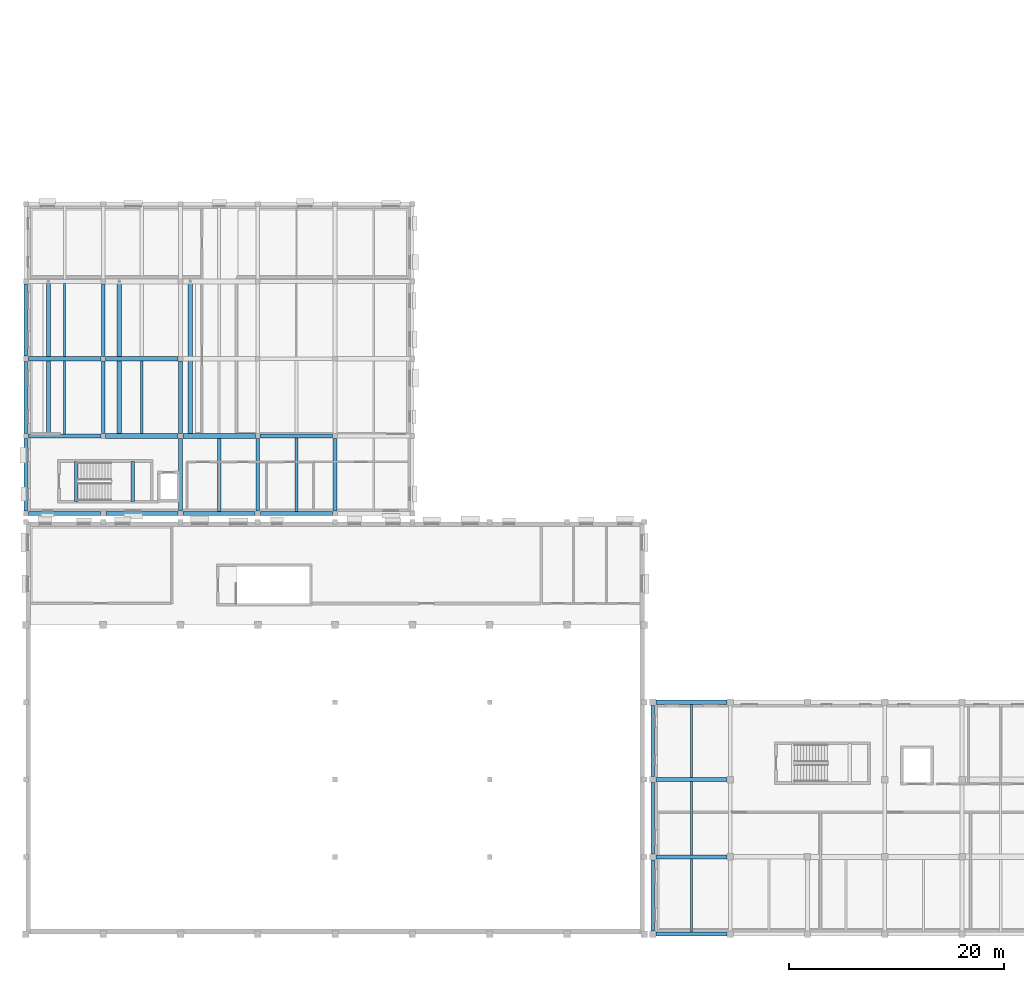
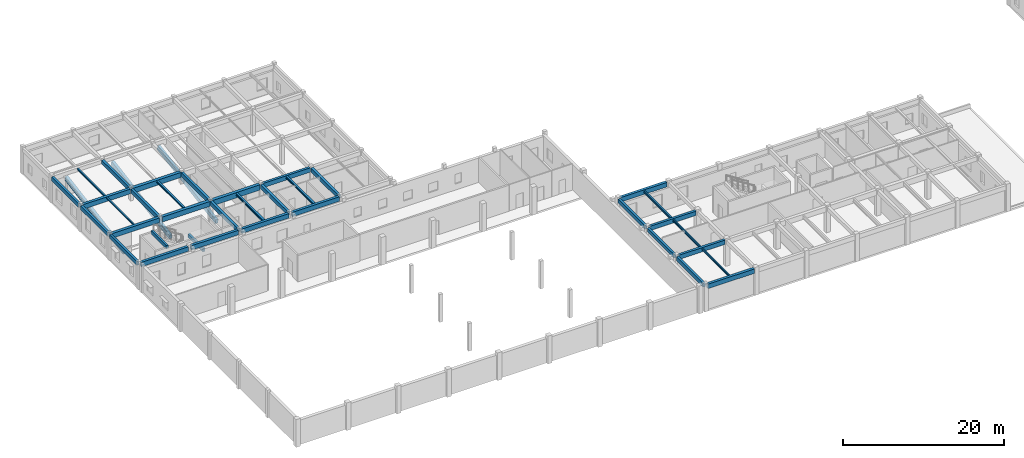
# One storey, part 4 of 49: 39 beams.
"""IFC4 building model written with IfcOpenShell, lengths in metres."""

import ifcopenshell
import ifcopenshell.guid

model = None  # the IFC model being written
_history = None  # IfcOwnerHistory: only IFC2X3 demands one
_inside = {}  # id of a spatial element -> (the spatial element, [elements in it])
_under = {}  # id of a project, library or spatial element -> (it, [spatial elements below it])
_declared = {}  # id of a project -> (the project, [libraries it declares])
_typed = {}  # id of a type object -> (the type object, [elements of that type])
_made_of = {}  # id of a material, layer set ... -> (it, [elements and type objects made of it])


def new_model(schema):
    """Start an empty IFC model of exactly this schema.

    Asked for "IFC4X3", IfcOpenShell would pick the latest addendum, in which some entities
    have other attributes; the version numbers below select the first issue.
    IFC2X3 requires an IfcOwnerHistory on every rooted entity: one is made here for all.
    """
    global model, _history
    if schema == "IFC4X3":
        model = ifcopenshell.file(schema_version=(4, 3, 0, 0))
    else:
        model = ifcopenshell.file(schema=schema)
    _inside.clear()
    _under.clear()
    _declared.clear()
    _typed.clear()
    _made_of.clear()
    _history = None
    if model.schema == "IFC2X3":
        org = make("IfcOrganization", Name="unknown")
        user = make(
            "IfcPersonAndOrganization",
            ThePerson=make("IfcPerson", FamilyName="unknown"),
            TheOrganization=org,
        )
        app = make(
            "IfcApplication",
            ApplicationDeveloper=org,
            Version="unknown",
            ApplicationFullName="unknown",
            ApplicationIdentifier="unknown",
        )
        _history = make(
            "IfcOwnerHistory",
            OwningUser=user,
            OwningApplication=app,
            ChangeAction="ADDED",
            CreationDate=0,
        )
    return model


def make(cls, **values):
    """One entity of the class cls with the attributes given. An attribute that is None is left unset."""
    return model.create_entity(
        cls, **{name: value for name, value in values.items() if value is not None}
    )


def rooted(cls, **values):
    """An entity with a GlobalId (a new one), such as an element, a storey or a relation."""
    return make(cls, GlobalId=ifcopenshell.guid.new(), OwnerHistory=_history, **values)


def si_unit(unit_type, name, prefix=None):
    """IfcSIUnit, for example si_unit("LENGTHUNIT", "METRE", prefix="MILLI")."""
    return make("IfcSIUnit", UnitType=unit_type, Prefix=prefix, Name=name)


def assignment(units):
    """IfcUnitAssignment: the units of a project."""
    return None if units is None else make("IfcUnitAssignment", Units=units)


def point(xyz):
    """IfcCartesianPoint."""
    return None if xyz is None else make("IfcCartesianPoint", Coordinates=xyz)


def direction(xyz):
    """IfcDirection."""
    return None if xyz is None else make("IfcDirection", DirectionRatios=xyz)


def frame(location, z_axis=None, x_axis=None):
    """IfcAxis2Placement3D, a coordinate frame: its origin and axes. An axis left out is left unset."""
    return make(
        "IfcAxis2Placement3D",
        Location=point(location),
        Axis=direction(z_axis),
        RefDirection=direction(x_axis),
    )


def frame_2d(location, x_axis=None):
    """IfcAxis2Placement2D, a coordinate frame in the plane: its origin and x axis."""
    return make(
        "IfcAxis2Placement2D", Location=point(location), RefDirection=direction(x_axis)
    )


def origin():
    """The frame at (0, 0, 0) with its axes left unset."""
    return frame((0.0, 0.0, 0.0))


def origin_2d():
    """The frame at (0, 0) in the plane with its x axis left unset."""
    return frame_2d((0.0, 0.0))


def place(relative_to, where):
    """IfcLocalPlacement: puts the frame where relative to a parent placement (None: the world)."""
    return make(
        "IfcLocalPlacement", PlacementRelTo=relative_to, RelativePlacement=where
    )


def context(
    kind, dimensions, precision=None, world=None, true_north=None, identifier=None
):
    """IfcGeometricRepresentationContext, for example the 3D "Model" context."""
    return make(
        "IfcGeometricRepresentationContext",
        ContextIdentifier=identifier,
        ContextType=kind,
        CoordinateSpaceDimension=dimensions,
        Precision=precision,
        WorldCoordinateSystem=world,
        TrueNorth=true_north,
    )


def subcontext(parent, identifier, kind, view, scale=None):
    """IfcGeometricRepresentationSubContext, for example "Body" below "Model"."""
    return make(
        "IfcGeometricRepresentationSubContext",
        ContextIdentifier=identifier,
        ContextType=kind,
        ParentContext=parent,
        TargetScale=scale,
        TargetView=view,
    )


def project(units=None, contexts=None):
    """IfcProject with its units and contexts."""
    return rooted(
        "IfcProject",
        Name="project",
        RepresentationContexts=contexts,
        UnitsInContext=assignment(units),
    )


def spatial(cls, under=None, at=None, **own):
    """A site, building, storey or space (cls), placed at a placement, below another one or the project."""
    s = rooted(cls, ObjectPlacement=at, **own)
    if under is not None:
        _under.setdefault(under.id(), (under, []))[1].append(s)
    return s


def profile(cls, at=None, kind="AREA", **sizes):
    """A parametric profile (cls). Its sizes go by their IFC names, for example OverallWidth=200.0."""
    return make(cls, ProfileType=kind, Position=at, **sizes)


def rectangle(**sizes):
    """IfcRectangleProfileDef."""
    return profile("IfcRectangleProfileDef", **sizes)


def i_section(**sizes):
    """IfcIShapeProfileDef."""
    return profile("IfcIShapeProfileDef", **sizes)


def extrude(swept, where, along, depth):
    """IfcExtrudedAreaSolid: the profile swept, set in the frame where, extruded along a direction by depth."""
    return make(
        "IfcExtrudedAreaSolid",
        SweptArea=swept,
        Position=where,
        ExtrudedDirection=direction(along),
        Depth=depth,
    )


def shape(context_of_items, identifier, shape_type, items):
    """IfcShapeRepresentation: the items that make up one representation, for example the "Body"."""
    return make(
        "IfcShapeRepresentation",
        ContextOfItems=context_of_items,
        RepresentationIdentifier=identifier,
        RepresentationType=shape_type,
        Items=items,
    )


def material(Name=None, Category=None):
    """IfcMaterial."""
    return make("IfcMaterial", Name=Name, Category=Category)


def material_profile(
    of_material, cross_section, Name=None, Category=None, Priority=None
):
    """IfcMaterialProfile: a cross section and its material."""
    return make(
        "IfcMaterialProfile",
        Name=Name,
        Material=of_material,
        Profile=cross_section,
        Priority=Priority,
        Category=Category,
    )


def profile_set(profiles, Name=None, composite=None):
    """IfcMaterialProfileSet."""
    return make(
        "IfcMaterialProfileSet",
        Name=Name,
        MaterialProfiles=profiles,
        CompositeProfile=composite,
    )


def made_of(thing, what):
    """Note that an element or type object is made of a material, layer set ...; save() writes the relation."""
    if what is not None:
        _made_of.setdefault(what.id(), (what, []))[1].append(thing)
    return thing


def type_object(cls, material=None, **own):
    """A type object (cls), such as IfcWallType, which elements share."""
    return made_of(rooted(cls, **own), material)


def element(
    cls,
    number,
    at=None,
    inside=None,
    cuts=None,
    type_object=None,
    material=None,
    context=None,
    identifier="Body",
    shape_type=None,
    held_by="IfcProductDefinitionShape",
    body=None,
    shapes=None,
    **own,
):
    """One element of the class cls, such as IfcWall. Its Tag is "e" and its number.

    at: its placement. inside: the storey or other place that contains it. cuts: it is an
    opening in that element (IfcRelVoidsElement). A single representation is given by context,
    identifier, shape_type and body (its items); several are given by shapes. held_by: the class
    of the entity that holds the representations. save() writes the other relations.
    """
    e = rooted(cls, Tag="e%d" % number, ObjectPlacement=at, **own)
    if body is not None:
        shapes = [shape(context, identifier, shape_type, body)]
    if shapes is not None:
        e.Representation = make(held_by, Representations=shapes)
    if inside is not None:
        _inside.setdefault(inside.id(), (inside, []))[1].append(e)
    if cuts is not None:
        rooted(
            "IfcRelVoidsElement", RelatingBuildingElement=cuts, RelatedOpeningElement=e
        )
    if type_object is not None:
        _typed.setdefault(type_object.id(), (type_object, []))[1].append(e)
    return made_of(e, material)


def aggregate(whole, parts):
    """IfcRelAggregates: a whole, such as a stair, and the parts it consists of."""
    return rooted("IfcRelAggregates", RelatingObject=whole, RelatedObjects=parts)


def save(model, path):
    """Write the relations noted so far, then the file.

    IfcRelAggregates (storeys below a building ...), IfcRelContainedInSpatialStructure (elements
    in a storey), IfcRelDefinesByType, IfcRelAssociatesMaterial and IfcRelDeclares: one each for
    every whole, place, type object, material and project.
    """
    for whole, parts in _under.values():
        aggregate(whole, parts)
    for where, things in _inside.values():
        rooted(
            "IfcRelContainedInSpatialStructure",
            RelatedElements=things,
            RelatingStructure=where,
        )
    for kind, things in _typed.values():
        rooted("IfcRelDefinesByType", RelatedObjects=things, RelatingType=kind)
    for what, things in _made_of.values():
        rooted("IfcRelAssociatesMaterial", RelatedObjects=things, RelatingMaterial=what)
    for by, libraries in _declared.values():
        rooted("IfcRelDeclares", RelatingContext=by, RelatedDefinitions=libraries)
    model.write(path)


model = new_model("IFC4")

# Units and contexts
model_context = context("Model", 3, precision=1e-05, world=origin(), true_north=direction((0.0, 1.0)))
body_context = subcontext(model_context, "Body", "Model", "MODEL_VIEW")
ifc_project = project(units=[si_unit("LENGTHUNIT", "METRE"), si_unit("AREAUNIT", "SQUARE_METRE"), si_unit("VOLUMEUNIT", "CUBIC_METRE"), si_unit("PLANEANGLEUNIT", "RADIAN"), si_unit("MASSUNIT", "GRAM", prefix="KILO")], contexts=[model_context])

# Site, building, storey
site_placement = place(None, origin())
site = spatial("IfcSite", under=ifc_project, at=site_placement, CompositionType="ELEMENT")
building_placement = place(site_placement, origin())
building = spatial("IfcBuilding", under=site, at=building_placement, Name="Bramveld Media Centre", CompositionType="ELEMENT")
storey_placement = place(building_placement, frame((0.0, 0.0, 9.60009765625)))
storey = spatial("IfcBuildingStorey", under=building, at=storey_placement, Name="L02", CompositionType="ELEMENT", Elevation=9.60009765625)

# Beams
ifc_material_1 = material(Name="Concrete C40/50", Category="concrete")
ifc_material_profile_1 = material_profile(ifc_material_1, rectangle(XDim=0.300048828125, YDim=0.5, at=origin_2d()), Name="RC 300x500")
ifc_profile_set_1 = profile_set([ifc_material_profile_1], Name="Concrete C40/50")
beam_type_1 = type_object("IfcBeamType", Name="BM-INT-RC-300x500", PredefinedType="BEAM", material=ifc_profile_set_1)
for number, where, z_axis, x_axis, name in (
    (1, (4.699951171875, 40.300048828125, 3.949951171875), (0.0, 1.0, 0.0), (-1.0, 0.0, 0.0), "ST-04 L03 stairwell landing trimmer beam"),
    (2, (9.949951171875, 40.300048828125, 1.64990234375), (0.0, 1.0, 0.0), (-1.0, 0.0, 0.0), "ST-04 L02 stairwell half-landing support beam"),
):
    element("IfcBeam", number, at=place(storey_placement, frame(where, z_axis=z_axis, x_axis=x_axis)), inside=storey, type_object=beam_type_1, Name=name, PredefinedType="BEAM", context=body_context, shape_type="SweptSolid", body=[
        extrude(rectangle(XDim=0.300048828125, YDim=0.5, at=origin_2d()), origin(), (0.0, 0.0, 1.0), 3.75),
    ])
ifc_material_2 = material(Name="Concrete C40/50", Category="concrete")
ifc_material_profile_2 = material_profile(ifc_material_2, rectangle(XDim=0.35009765625, YDim=0.60009765625, at=origin_2d()), Name="RC 350x600")
ifc_profile_set_2 = profile_set([ifc_material_profile_2], Name="Concrete C40/50")
beam_type_2 = type_object("IfcBeamType", Name="BM-INT-RC-350x600", PredefinedType="BEAM", material=ifc_profile_set_2)
for number, where, z_axis, x_axis, name in (
    (3, (7.199951171875, 46.625, 3.64990234375), (0.0, 1.0, 0.0), (-1.0, 0.0, 0.0), "V3 L02 girder Y-352"),
    (4, (7.199951171875, 53.824951171875, 3.64990234375), (0.0, 1.0, 0.0), (-1.0, 0.0, 0.0), "V3 L02 girder Y-353"),
):
    element("IfcBeam", number, at=place(storey_placement, frame(where, z_axis=z_axis, x_axis=x_axis)), inside=storey, type_object=beam_type_2, Name=name, PredefinedType="BEAM", context=body_context, shape_type="SweptSolid", body=[
        extrude(rectangle(XDim=0.35009765625, YDim=0.60009765625, at=origin_2d()), origin(), (0.0, 0.0, 1.0), 6.75),
    ])
beam_1_placement = place(storey_placement, frame((14.39990234375, 39.43994140625, 3.64990234375), z_axis=(0.0, 1.0, 0.0), x_axis=(-1.0, 0.0, 0.0)))
element("IfcBeam", 5, at=beam_1_placement, inside=storey, type_object=beam_type_2, Name="V3 L02 girder Y-355", PredefinedType="BEAM", context=body_context, shape_type="SweptSolid", body=[
    extrude(rectangle(XDim=0.35009765625, YDim=0.60009765625, at=origin_2d()), origin(), (0.0, 0.0, 1.0), 6.735107421875),
])
beam_2_placement = place(storey_placement, frame((14.39990234375, 46.625, 3.64990234375), z_axis=(0.0, 1.0, 0.0), x_axis=(-1.0, 0.0, 0.0)))
element("IfcBeam", 6, at=beam_2_placement, inside=storey, type_object=beam_type_2, Name="V3 L02 girder Y-356", PredefinedType="BEAM", context=body_context, shape_type="SweptSolid", body=[
    extrude(rectangle(XDim=0.35009765625, YDim=0.60009765625, at=origin_2d()), origin(), (0.0, 0.0, 1.0), 6.75),
])
for number, where, z_axis, x_axis, name in (
    (7, (21.60009765625, 39.43994140625, 3.64990234375), (0.0, 1.0, 0.0), (-1.0, 0.0, 0.0), "V3 L02 girder Y-359"),
    (8, (28.800048828125, 39.43994140625, 3.64990234375), (0.0, 1.0, 0.0), (-1.0, 0.0, 0.0), "V3 L02 girder Y-363"),
):
    element("IfcBeam", number, at=place(storey_placement, frame(where, z_axis=z_axis, x_axis=x_axis)), inside=storey, type_object=beam_type_2, Name=name, PredefinedType="BEAM", context=body_context, shape_type="SweptSolid", body=[
        extrude(rectangle(XDim=0.35009765625, YDim=0.60009765625, at=origin_2d()), origin(), (0.0, 0.0, 1.0), 6.735107421875),
    ])
ifc_material_3 = material(Name="Concrete C40/50", Category="concrete")
ifc_material_profile_3 = material_profile(ifc_material_3, rectangle(XDim=0.35009765625, YDim=0.64990234375, at=origin_2d()), Name="RC 350x650")
ifc_profile_set_3 = profile_set([ifc_material_profile_3], Name="Concrete C40/50")
beam_type_3 = type_object("IfcBeamType", Name="BM-INT-RC-350x650", PredefinedType="BEAM", material=ifc_profile_set_3)
beam_3_placement = place(storey_placement, frame((21.824951171875, 46.39990234375, 3.625), z_axis=(1.0, 0.0, 0.0), x_axis=(0.0, 1.0, 0.0)))
element("IfcBeam", 9, at=beam_3_placement, inside=storey, type_object=beam_type_3, Name="V3 L02 girder X-331", PredefinedType="BEAM", context=body_context, shape_type="SweptSolid", body=[
    extrude(rectangle(XDim=0.35009765625, YDim=0.64990234375, at=origin_2d()), origin(), (0.0, 0.0, 1.0), 6.75),
])
for number, where, z_axis, x_axis, name in (
    (10, (58.68994140625, 7.199951171875, 3.635009765625), (1.0, 0.0, 0.0), (0.0, 1.0, 0.0), "V5 L02 girder X-784"),
    (11, (58.68994140625, 14.39990234375, 3.635009765625), (1.0, 0.0, 0.0), (0.0, 1.0, 0.0), "V5 L02 girder X-790"),
):
    element("IfcBeam", number, at=place(storey_placement, frame(where, z_axis=z_axis, x_axis=x_axis)), inside=storey, type_object=beam_type_3, Name=name, PredefinedType="BEAM", context=body_context, shape_type="SweptSolid", body=[
        extrude(rectangle(XDim=0.35009765625, YDim=0.64990234375, at=origin_2d()), origin(), (0.0, 0.0, 1.0), 6.610107421875),
    ])
ifc_material_4 = material(Name="Concrete C40/50", Category="concrete")
ifc_material_profile_4 = material_profile(ifc_material_4, rectangle(XDim=0.39990234375, YDim=0.64990234375, at=origin_2d()), Name="RC 400x650")
ifc_profile_set_4 = profile_set([ifc_material_profile_4], Name="Concrete C40/50")
beam_type_4 = type_object("IfcBeamType", Name="BM-INT-RC-400x650", PredefinedType="BEAM", material=ifc_profile_set_4)
for number, where, z_axis, x_axis, name in (
    (12, (2.10009765625, 46.39990234375, 0.385009765625), (0.0, 0.985262222976, 0.171050729249), (-1.0, 0.0, 0.0), "Screen 5 Raked Seating Slab raker beam 1"),
    (13, (8.699951171875, 46.39990234375, 0.385009765625), (0.0, 0.985262222976, 0.171050729249), (-1.0, 0.0, 0.0), "Screen 5 Raked Seating Slab raker beam 2"),
    (14, (15.300048828125, 46.39990234375, 0.385009765625), (0.0, 0.985262222976, 0.171050729249), (-1.0, 0.0, 0.0), "Screen 5 Raked Seating Slab raker beam 3"),
):
    element("IfcBeam", number, at=place(storey_placement, frame(where, z_axis=z_axis, x_axis=x_axis)), inside=storey, type_object=beam_type_4, Name=name, PredefinedType="BEAM", context=body_context, shape_type="SweptSolid", body=[
        extrude(rectangle(XDim=0.39990234375, YDim=0.64990234375, at=origin_2d()), origin(), (0.0, 0.0, 1.0), 14.615478515625),
    ])
ifc_material_5 = material(Name="Concrete C40/50", Category="concrete")
ifc_material_profile_5 = material_profile(ifc_material_5, rectangle(XDim=0.39990234375, YDim=0.699951171875, at=origin_2d()), Name="RC 400x700")
ifc_profile_set_5 = profile_set([ifc_material_profile_5], Name="Concrete C40/50")
beam_type_5 = type_object("IfcBeamType", Name="BM-INT-RC-400x700", PredefinedType="BEAM", material=ifc_profile_set_5)
for number, where, z_axis, x_axis, name in (
    (15, (0.239990234375, 46.39990234375, 3.599853515625), (1.0, 0.0, 0.0), (0.0, 1.0, 0.0), "V3 L02 girder X-328"),
    (16, (0.239990234375, 53.60009765625, 3.599853515625), (1.0, 0.0, 0.0), (0.0, 1.0, 0.0), "V3 L02 girder X-333"),
):
    element("IfcBeam", number, at=place(storey_placement, frame(where, z_axis=z_axis, x_axis=x_axis)), inside=storey, type_object=beam_type_5, Name=name, PredefinedType="BEAM", context=body_context, shape_type="SweptSolid", body=[
        extrude(rectangle(XDim=0.39990234375, YDim=0.699951171875, at=origin_2d()), origin(), (0.0, 0.0, 1.0), 6.735107421875),
    ])
ifc_material_6 = material(Name="Concrete C40/50", Category="concrete")
ifc_material_profile_6 = material_profile(ifc_material_6, rectangle(XDim=0.449951171875, YDim=0.75, at=origin_2d()), Name="RC 450x750")
ifc_profile_set_6 = profile_set([ifc_material_profile_6], Name="Concrete C40/50")
beam_type_6 = type_object("IfcBeamType", Name="BM-INT-RC-450x750", PredefinedType="BEAM", material=ifc_profile_set_6)
for number, where, z_axis, x_axis, name in (
    (17, (7.425048828125, 46.39990234375, 3.574951171875), (1.0, 0.0, 0.0), (0.0, 1.0, 0.0), "V3 L02 girder X-329"),
    (18, (7.425048828125, 53.60009765625, 3.574951171875), (1.0, 0.0, 0.0), (0.0, 1.0, 0.0), "V3 L02 girder X-334"),
):
    element("IfcBeam", number, at=place(storey_placement, frame(where, z_axis=z_axis, x_axis=x_axis)), inside=storey, type_object=beam_type_6, Name=name, PredefinedType="BEAM", context=body_context, shape_type="SweptSolid", body=[
        extrude(rectangle(XDim=0.449951171875, YDim=0.75, at=origin_2d()), origin(), (0.0, 0.0, 1.0), 6.75),
    ])
ifc_material_7 = material(Name="Concrete C40/50", Category="concrete")
ifc_material_profile_7 = material_profile(ifc_material_7, rectangle(XDim=0.449951171875, YDim=0.800048828125, at=origin_2d()), Name="RC 450x800")
ifc_profile_set_7 = profile_set([ifc_material_profile_7], Name="Concrete C40/50")
beam_type_7 = type_object("IfcBeamType", Name="BM-INT-RC-450x800", PredefinedType="BEAM", material=ifc_profile_set_7)
beam_4_placement = place(storey_placement, frame((14.625, 46.39990234375, 3.5498046875), z_axis=(1.0, 0.0, 0.0), x_axis=(0.0, 1.0, 0.0)))
element("IfcBeam", 19, at=beam_4_placement, inside=storey, type_object=beam_type_7, Name="V3 L02 girder X-330", PredefinedType="BEAM", context=body_context, shape_type="SweptSolid", body=[
    extrude(rectangle(XDim=0.449951171875, YDim=0.800048828125, at=origin_2d()), origin(), (0.0, 0.0, 1.0), 6.75),
])
ifc_material_8 = material(Name="Steel S355J2", Category="steel")
ifc_material_profile_8 = material_profile(ifc_material_8, i_section(OverallWidth=0.199951171875, OverallDepth=0.18994140625, WebThickness=0.006591796875, FlangeThickness=0.010009765625, FilletRadius=0.01806640625, at=origin_2d()), Name="HEA 200")
ifc_profile_set_8 = profile_set([ifc_material_profile_8], Name="Steel S355J2")
beam_type_8 = type_object("IfcBeamType", Name="SBM-INT-HEA-200", PredefinedType="BEAM", material=ifc_profile_set_8)
beam_5_placement = place(storey_placement, frame((3.60009765625, 46.60009765625, 3.85498046875), z_axis=(0.0, 1.0, 0.0), x_axis=(-1.0, 0.0, 0.0)))
element("IfcBeam", 20, at=beam_5_placement, inside=storey, type_object=beam_type_8, Name="V3 L02 secondary floor joist 371", PredefinedType="BEAM", context=body_context, shape_type="SweptSolid", body=[
    extrude(i_section(OverallWidth=0.199951171875, OverallDepth=0.18994140625, WebThickness=0.006591796875, FlangeThickness=0.010009765625, FilletRadius=0.01806640625, at=origin_2d()), origin(), (0.0, 0.0, 1.0), 6.7998046875),
])
ifc_material_9 = material(Name="Steel S355J2", Category="steel")
ifc_material_profile_9 = material_profile(ifc_material_9, i_section(OverallWidth=0.219970703125, OverallDepth=0.2099609375, WebThickness=0.007080078125, FlangeThickness=0.010986328125, FilletRadius=0.01806640625, at=origin_2d()), Name="HEA 220")
ifc_profile_set_9 = profile_set([ifc_material_profile_9], Name="Steel S355J2")
beam_type_9 = type_object("IfcBeamType", Name="SBM-INT-HEA-220", PredefinedType="BEAM", material=ifc_profile_set_9)
beam_6_placement = place(storey_placement, frame((3.60009765625, 53.800048828125, 3.844970703125), z_axis=(0.0, 1.0, 0.0), x_axis=(-1.0, 0.0, 0.0)))
element("IfcBeam", 21, at=beam_6_placement, inside=storey, type_object=beam_type_9, Name="V3 L02 secondary floor joist 372", PredefinedType="BEAM", context=body_context, shape_type="SweptSolid", body=[
    extrude(i_section(OverallWidth=0.219970703125, OverallDepth=0.2099609375, WebThickness=0.007080078125, FlangeThickness=0.010986328125, FilletRadius=0.01806640625, at=origin_2d()), origin(), (0.0, 0.0, 1.0), 6.800048828125),
])
ifc_material_10 = material(Name="Steel S355J2", Category="steel")
ifc_material_profile_10 = material_profile(ifc_material_10, i_section(OverallWidth=0.260009765625, OverallDepth=0.25, WebThickness=0.007568359375, FlangeThickness=0.012451171875, FilletRadius=0.02392578125, at=origin_2d()), Name="HEA 260")
ifc_profile_set_10 = profile_set([ifc_material_profile_10], Name="Steel S355J2")
beam_type_10 = type_object("IfcBeamType", Name="SBM-INT-HEA-260", PredefinedType="BEAM", material=ifc_profile_set_10)
beam_7_placement = place(storey_placement, frame((10.800048828125, 46.625, 3.824951171875), z_axis=(0.0, 1.0, 0.0), x_axis=(-1.0, 0.0, 0.0)))
element("IfcBeam", 22, at=beam_7_placement, inside=storey, type_object=beam_type_10, Name="V3 L02 secondary floor joist 374", PredefinedType="BEAM", context=body_context, shape_type="SweptSolid", body=[
    extrude(i_section(OverallWidth=0.260009765625, OverallDepth=0.25, WebThickness=0.007568359375, FlangeThickness=0.012451171875, FilletRadius=0.02392578125, at=origin_2d()), origin(), (0.0, 0.0, 1.0), 6.75),
])
ifc_material_11 = material(Name="Steel S355J2", Category="steel")
ifc_material_profile_11 = material_profile(ifc_material_11, i_section(OverallWidth=0.300048828125, OverallDepth=0.389892578125, WebThickness=0.010986328125, FlangeThickness=0.01904296875, FilletRadius=0.027099609375, at=origin_2d()), Name="HEA 400")
ifc_profile_set_11 = profile_set([ifc_material_profile_11], Name="Steel S355J2")
beam_type_11 = type_object("IfcBeamType", Name="SBM-INT-HEA-400", PredefinedType="BEAM", material=ifc_profile_set_11)
beam_8_placement = place(storey_placement, frame((18.0, 39.389892578125, 3.7548828125), z_axis=(0.0, 1.0, 0.0), x_axis=(-1.0, 0.0, 0.0)))
element("IfcBeam", 23, at=beam_8_placement, inside=storey, type_object=beam_type_11, Name="V3 L02 secondary floor joist 377", PredefinedType="BEAM", context=body_context, shape_type="SweptSolid", body=[
    extrude(i_section(OverallWidth=0.300048828125, OverallDepth=0.389892578125, WebThickness=0.010986328125, FlangeThickness=0.01904296875, FilletRadius=0.027099609375, at=origin_2d()), origin(), (0.0, 0.0, 1.0), 6.78515625),
])
ifc_material_12 = material(Name="Steel S355J2", Category="steel")
ifc_material_profile_12 = material_profile(ifc_material_12, i_section(OverallWidth=0.300048828125, OverallDepth=0.320068359375, WebThickness=0.011474609375, FlangeThickness=0.0205078125, FilletRadius=0.027099609375, at=origin_2d()), Name="HEB 320")
ifc_profile_set_12 = profile_set([ifc_material_profile_12], Name="Steel S355J2")
beam_type_12 = type_object("IfcBeamType", Name="SBM-INT-HEB-320", PredefinedType="BEAM", material=ifc_profile_set_12)
beam_9_placement = place(storey_placement, frame((25.199951171875, 39.389892578125, 3.789794921875), z_axis=(0.0, 1.0, 0.0), x_axis=(-1.0, 0.0, 0.0)))
element("IfcBeam", 24, at=beam_9_placement, inside=storey, type_object=beam_type_12, Name="V3 L02 secondary floor joist 381", PredefinedType="BEAM", context=body_context, shape_type="SweptSolid", body=[
    extrude(i_section(OverallWidth=0.300048828125, OverallDepth=0.320068359375, WebThickness=0.011474609375, FlangeThickness=0.0205078125, FilletRadius=0.027099609375, at=origin_2d()), origin(), (0.0, 0.0, 1.0), 6.835205078125),
])
ifc_material_13 = material(Name="Steel S355J2", Category="steel")
ifc_material_profile_13 = material_profile(ifc_material_13, i_section(OverallWidth=0.159912109375, OverallDepth=0.330078125, WebThickness=0.007568359375, FlangeThickness=0.011474609375, FilletRadius=0.01806640625, at=origin_2d()), Name="IPE 330")
ifc_profile_set_13 = profile_set([ifc_material_profile_13], Name="Steel S355J2")
beam_type_13 = type_object("IfcBeamType", Name="SBM-INT-IPE-330", PredefinedType="JOIST", material=ifc_profile_set_13)
beam_10_placement = place(storey_placement, frame((62.0, 0.18994140625, 3.794921875), z_axis=(0.0, 1.0, 0.0), x_axis=(-1.0, 0.0, 0.0)))
element("IfcBeam", 25, at=beam_10_placement, inside=storey, type_object=beam_type_13, Name="V5 L02 secondary floor joist 818", PredefinedType="JOIST", context=body_context, shape_type="SweptSolid", body=[
    extrude(i_section(OverallWidth=0.159912109375, OverallDepth=0.330078125, WebThickness=0.007568359375, FlangeThickness=0.011474609375, FilletRadius=0.01806640625, at=origin_2d()), origin(), (0.0, 0.0, 1.0), 6.8349609375),
])
ifc_material_14 = material(Name="Steel S355J2", Category="steel")
ifc_material_profile_14 = material_profile(ifc_material_14, i_section(OverallWidth=0.169921875, OverallDepth=0.360107421875, WebThickness=0.008056640625, FlangeThickness=0.0126953125, FilletRadius=0.01806640625, at=origin_2d()), Name="IPE 360")
ifc_profile_set_14 = profile_set([ifc_material_profile_14], Name="Steel S355J2")
beam_type_14 = type_object("IfcBeamType", Name="SBM-INT-IPE-360", PredefinedType="JOIST", material=ifc_profile_set_14)
beam_11_placement = place(storey_placement, frame((62.0, 7.375, 3.77978515625), z_axis=(0.0, 1.0, 0.0), x_axis=(-1.0, 0.0, 0.0)))
element("IfcBeam", 26, at=beam_11_placement, inside=storey, type_object=beam_type_14, Name="V5 L02 secondary floor joist 819", PredefinedType="JOIST", context=body_context, shape_type="SweptSolid", body=[
    extrude(i_section(OverallWidth=0.169921875, OverallDepth=0.360107421875, WebThickness=0.008056640625, FlangeThickness=0.0126953125, FilletRadius=0.01806640625, at=origin_2d()), origin(), (0.0, 0.0, 1.0), 6.85009765625),
])
ifc_material_15 = material(Name="Steel S355J2", Category="steel")
ifc_material_profile_15 = material_profile(ifc_material_15, i_section(OverallWidth=0.179931640625, OverallDepth=0.39990234375, WebThickness=0.008544921875, FlangeThickness=0.013427734375, FilletRadius=0.02099609375, at=origin_2d()), Name="IPE 400")
ifc_profile_set_15 = profile_set([ifc_material_profile_15], Name="Steel S355J2")
beam_type_15 = type_object("IfcBeamType", Name="SBM-INT-IPE-400", PredefinedType="JOIST", material=ifc_profile_set_15)
beam_12_placement = place(storey_placement, frame((62.0, 14.574951171875, 3.760009765625), z_axis=(0.0, 1.0, 0.0), x_axis=(-1.0, 0.0, 0.0)))
element("IfcBeam", 27, at=beam_12_placement, inside=storey, type_object=beam_type_15, Name="V5 L02 secondary floor joist 820", PredefinedType="JOIST", context=body_context, shape_type="SweptSolid", body=[
    extrude(i_section(OverallWidth=0.179931640625, OverallDepth=0.39990234375, WebThickness=0.008544921875, FlangeThickness=0.013427734375, FilletRadius=0.02099609375, at=origin_2d()), origin(), (0.0, 0.0, 1.0), 6.8349609375),
])
ifc_material_16 = material(Name="Concrete C40/50", Category="concrete")
ifc_material_profile_16 = material_profile(ifc_material_16, rectangle(XDim=0.320068359375, YDim=0.580078125, at=origin_2d()), Name="RC 320x580")
ifc_profile_set_16 = profile_set([ifc_material_profile_16], Name="Concrete C40/50")
beam_type_16 = type_object("IfcBeamType", Name="SPANDREL-EXT-RC-320x580", PredefinedType="SPANDREL", material=ifc_profile_set_16)
beam_13_placement = place(storey_placement, frame((0.0, 39.43994140625, 3.659912109375), z_axis=(0.0, 1.0, 0.0), x_axis=(-1.0, 0.0, 0.0)))
element("IfcBeam", 28, at=beam_13_placement, inside=storey, type_object=beam_type_16, Name="V3 L02 girder Y-348", PredefinedType="SPANDREL", context=body_context, shape_type="SweptSolid", body=[
    extrude(rectangle(XDim=0.320068359375, YDim=0.580078125, at=origin_2d()), origin(), (0.0, 0.0, 1.0), 6.719970703125),
])
beam_14_placement = place(storey_placement, frame((0.0, 46.639892578125, 3.659912109375), z_axis=(0.0, 1.0, 0.0), x_axis=(-1.0, 0.0, 0.0)))
element("IfcBeam", 29, at=beam_14_placement, inside=storey, type_object=beam_type_16, Name="V3 L02 girder Y-349", PredefinedType="SPANDREL", context=body_context, shape_type="SweptSolid", body=[
    extrude(rectangle(XDim=0.320068359375, YDim=0.580078125, at=origin_2d()), origin(), (0.0, 0.0, 1.0), 6.72021484375),
])
beam_15_placement = place(storey_placement, frame((0.0, 53.840087890625, 3.659912109375), z_axis=(0.0, 1.0, 0.0), x_axis=(-1.0, 0.0, 0.0)))
element("IfcBeam", 30, at=beam_15_placement, inside=storey, type_object=beam_type_16, Name="V3 L02 girder Y-350", PredefinedType="SPANDREL", context=body_context, shape_type="SweptSolid", body=[
    extrude(rectangle(XDim=0.320068359375, YDim=0.580078125, at=origin_2d()), origin(), (0.0, 0.0, 1.0), 6.719970703125),
])
beam_16_placement = place(storey_placement, frame((58.39990234375, 0.2900390625, 3.669921875), z_axis=(0.0, 1.0, 0.0), x_axis=(-1.0, 0.0, 0.0)))
element("IfcBeam", 31, at=beam_16_placement, inside=storey, type_object=beam_type_16, Name="V5 L02 girder Y-799", PredefinedType="SPANDREL", context=body_context, shape_type="SweptSolid", body=[
    extrude(rectangle(XDim=0.320068359375, YDim=0.580078125, at=origin_2d()), origin(), (0.0, 0.0, 1.0), 6.619873046875),
])
for number, where, z_axis, x_axis, name in (
    (32, (58.39990234375, 7.489990234375, 3.669921875), (0.0, 1.0, 0.0), (-1.0, 0.0, 0.0), "V5 L02 girder Y-800"),
    (33, (58.39990234375, 14.68994140625, 3.669921875), (0.0, 1.0, 0.0), (-1.0, 0.0, 0.0), "V5 L02 girder Y-801"),
):
    element("IfcBeam", number, at=place(storey_placement, frame(where, z_axis=z_axis, x_axis=x_axis)), inside=storey, type_object=beam_type_16, Name=name, PredefinedType="SPANDREL", context=body_context, shape_type="SweptSolid", body=[
        extrude(rectangle(XDim=0.320068359375, YDim=0.580078125, at=origin_2d()), origin(), (0.0, 0.0, 1.0), 6.6201171875),
    ])
ifc_material_17 = material(Name="Concrete C40/50", Category="concrete")
ifc_material_profile_17 = material_profile(ifc_material_17, rectangle(XDim=0.3798828125, YDim=0.679931640625, at=origin_2d()), Name="RC 380x680")
ifc_profile_set_17 = profile_set([ifc_material_profile_17], Name="Concrete C40/50")
beam_type_17 = type_object("IfcBeamType", Name="SPANDREL-EXT-RC-380x680", PredefinedType="SPANDREL", material=ifc_profile_set_17)
for number, where, z_axis, x_axis, name in (
    (34, (0.239990234375, 39.199951171875, 3.60986328125), (1.0, 0.0, 0.0), (0.0, 1.0, 0.0), "V3 L02 girder X-323"),
    (35, (7.43994140625, 39.199951171875, 3.60986328125), (1.0, 0.0, 0.0), (0.0, 1.0, 0.0), "V3 L02 girder X-324"),
):
    element("IfcBeam", number, at=place(storey_placement, frame(where, z_axis=z_axis, x_axis=x_axis)), inside=storey, type_object=beam_type_17, Name=name, PredefinedType="SPANDREL", context=body_context, shape_type="SweptSolid", body=[
        extrude(rectangle(XDim=0.3798828125, YDim=0.679931640625, at=origin_2d()), origin(), (0.0, 0.0, 1.0), 6.719970703125),
    ])
beam_17_placement = place(storey_placement, frame((14.639892578125, 39.199951171875, 3.60986328125), z_axis=(1.0, 0.0, 0.0), x_axis=(0.0, 1.0, 0.0)))
element("IfcBeam", 36, at=beam_17_placement, inside=storey, type_object=beam_type_17, Name="V3 L02 girder X-325", PredefinedType="SPANDREL", context=body_context, shape_type="SweptSolid", body=[
    extrude(rectangle(XDim=0.3798828125, YDim=0.679931640625, at=origin_2d()), origin(), (0.0, 0.0, 1.0), 6.72021484375),
])
beam_18_placement = place(storey_placement, frame((21.840087890625, 39.199951171875, 3.60986328125), z_axis=(1.0, 0.0, 0.0), x_axis=(0.0, 1.0, 0.0)))
element("IfcBeam", 37, at=beam_18_placement, inside=storey, type_object=beam_type_17, Name="V3 L02 girder X-326", PredefinedType="SPANDREL", context=body_context, shape_type="SweptSolid", body=[
    extrude(rectangle(XDim=0.3798828125, YDim=0.679931640625, at=origin_2d()), origin(), (0.0, 0.0, 1.0), 6.719970703125),
])
for number, where, z_axis, x_axis, name in (
    (38, (58.68994140625, 0.0, 3.619873046875), (1.0, 0.0, 0.0), (0.0, 1.0, 0.0), "V5 L02 girder X-778"),
    (39, (58.68994140625, 21.60009765625, 3.619873046875), (1.0, 0.0, 0.0), (0.0, 1.0, 0.0), "V5 L02 girder X-793"),
):
    element("IfcBeam", number, at=place(storey_placement, frame(where, z_axis=z_axis, x_axis=x_axis)), inside=storey, type_object=beam_type_17, Name=name, PredefinedType="SPANDREL", context=body_context, shape_type="SweptSolid", body=[
        extrude(rectangle(XDim=0.3798828125, YDim=0.679931640625, at=origin_2d()), origin(), (0.0, 0.0, 1.0), 6.6201171875),
    ])

save(model, "model.ifc")
